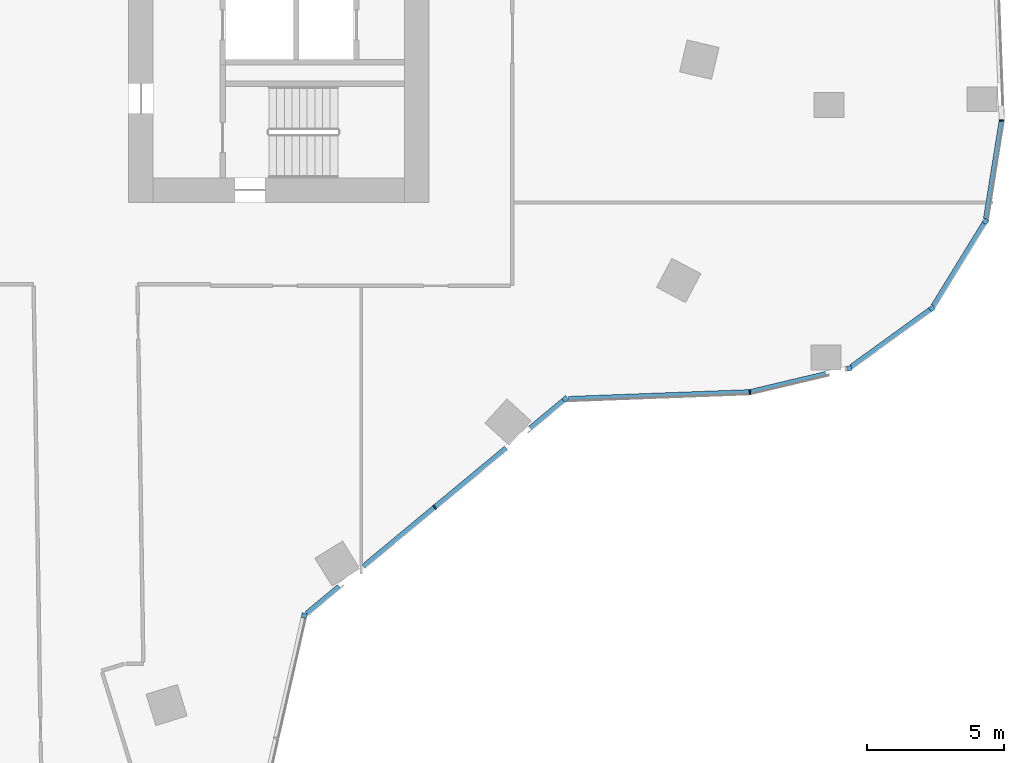
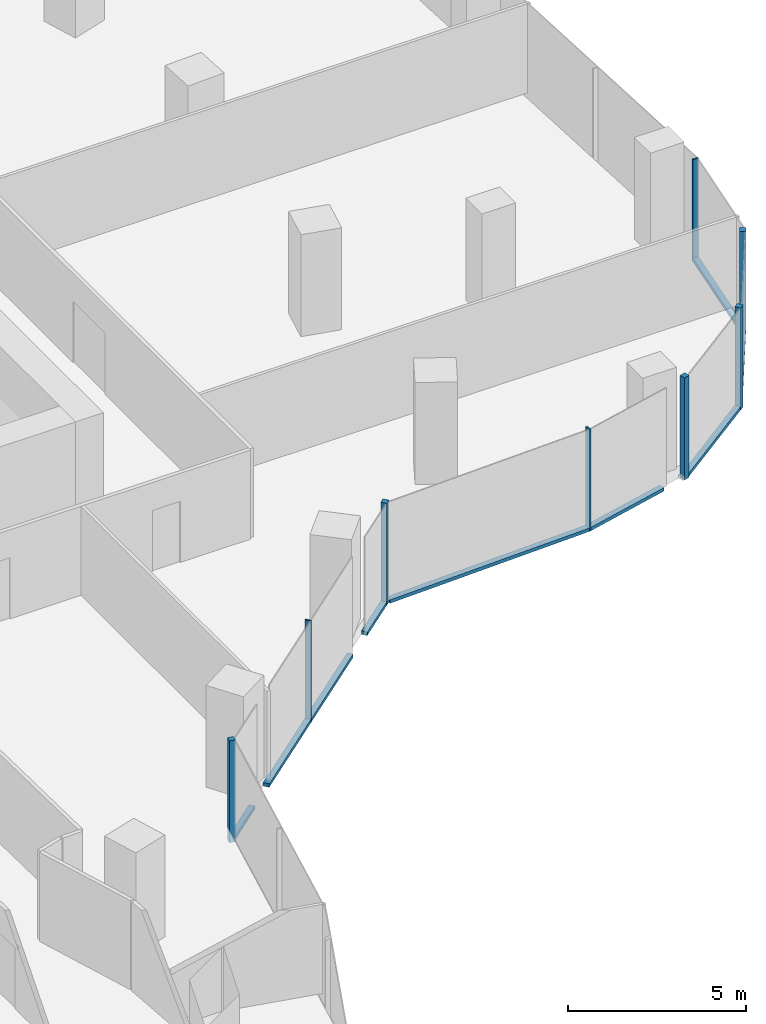
# One storey, part 8 of 24: 16 members, 7 elements without a shape of their own.
"""IFC4 building model written with IfcOpenShell, lengths in metres."""

from ifc_helpers import new_model, si_unit, direction, frame, origin, origin_2d, place, context, subcontext, project, spatial, rectangle, extrude, material, material_profile, profile_set, type_object, element, aggregate, save


model = new_model("IFC4")

# Units and contexts
model_context = context("Model", 3, precision=1e-05, world=origin(), true_north=direction((0.0, 1.0)))
body_context = subcontext(model_context, "Body", "Model", "MODEL_VIEW")
ifc_project = project(units=[si_unit("LENGTHUNIT", "METRE"), si_unit("AREAUNIT", "SQUARE_METRE"), si_unit("VOLUMEUNIT", "CUBIC_METRE"), si_unit("PLANEANGLEUNIT", "RADIAN"), si_unit("MASSUNIT", "GRAM", prefix="KILO")], contexts=[model_context])

# Site, building, storey
site_placement = place(None, origin())
site = spatial("IfcSite", under=ifc_project, at=site_placement, CompositionType="ELEMENT")
building_placement = place(site_placement, origin())
building = spatial("IfcBuilding", under=site, at=building_placement, Name="Orlundy Tower", CompositionType="ELEMENT")
storey_placement = place(building_placement, frame((0.0, 0.0, 174.10009765625)))
storey = spatial("IfcBuildingStorey", under=building, at=storey_placement, Name="L45", CompositionType="ELEMENT", Elevation=174.10009765625)

# Curtain wall, member
ifc_material_1 = material(Name="Aluminium bronze anodised", Category="aluminium")
curtain_wall_type = type_object("IfcCurtainWallType", Name="CW1 wall", PredefinedType="NOTDEFINED", material=ifc_material_1)
curtain_wall_1_placement = place(storey_placement, origin())
curtain_wall_1 = element("IfcCurtainWall", 1, at=curtain_wall_1_placement, inside=storey, type_object=curtain_wall_type, Name="CW1 run 013", PredefinedType="NOTDEFINED")
ifc_material_2 = material(Name="Aluminium bronze anodised", Category="aluminium")
ifc_material_profile_1 = material_profile(ifc_material_2, rectangle(XDim=0.179931640625, YDim=0.179931640625, at=origin_2d()), Name="CW1 corner post 180x180")
ifc_profile_set_1 = profile_set([ifc_material_profile_1], Name="Aluminium bronze anodised")
member_type_1 = type_object("IfcMemberType", Name="CW1 corner post 180x180", PredefinedType="MULLION", material=ifc_profile_set_1)
member_1_placement = place(storey_placement, frame((39.3701171875, -12.69091796875, -0.420166015625), z_axis=(0.0, 0.0, 1.0), x_axis=(0.851824977163, -0.523826505898, 0.0)))
member_1 = element("IfcMember", 2, at=member_1_placement, type_object=member_type_1, Name="CW1 mullion 37", PredefinedType="MULLION", context=body_context, shape_type="SweptSolid", body=[
    extrude(rectangle(XDim=0.179931640625, YDim=0.179931640625, at=origin_2d()), origin(), (0.0, 0.0, 1.0), 3.5),
])

curtain_wall_2_placement = place(storey_placement, origin())
curtain_wall_2 = element("IfcCurtainWall", 3, at=curtain_wall_2_placement, inside=storey, type_object=curtain_wall_type, Name="CW1 run 014", PredefinedType="NOTDEFINED")
member_2_placement = place(storey_placement, frame((37.4091796875, -15.87939453125, -0.420166015625), z_axis=(0.0, 0.0, 1.0), x_axis=(0.586534223909, -0.809924443503, 0.0)))
member_2 = element("IfcMember", 4, at=member_2_placement, type_object=member_type_1, Name="CW1 mullion 38", PredefinedType="MULLION", context=body_context, shape_type="SweptSolid", body=[
    extrude(rectangle(XDim=0.179931640625, YDim=0.179931640625, at=origin_2d()), origin(), (0.0, 0.0, 1.0), 3.5),
])

curtain_wall_3_placement = place(storey_placement, origin())
curtain_wall_3 = element("IfcCurtainWall", 5, at=curtain_wall_3_placement, inside=storey, type_object=curtain_wall_type, Name="CW1 run 015", PredefinedType="NOTDEFINED")
member_3_placement = place(storey_placement, frame((34.37841796875, -18.074462890625, -0.420166015625), z_axis=(0.0, 0.0, 1.0), x_axis=(0.232301349645, -0.972643862343, 0.0)))
member_3 = element("IfcMember", 6, at=member_3_placement, type_object=member_type_1, Name="CW1 mullion 39", PredefinedType="MULLION", context=body_context, shape_type="SweptSolid", body=[
    extrude(rectangle(XDim=0.179931640625, YDim=0.179931640625, at=origin_2d()), origin(), (0.0, 0.0, 1.0), 3.5),
])

curtain_wall_4_placement = place(storey_placement, origin())
curtain_wall_4 = element("IfcCurtainWall", 7, at=curtain_wall_4_placement, inside=storey, type_object=curtain_wall_type, Name="CW1 run 017", PredefinedType="NOTDEFINED")
member_4_placement = place(storey_placement, frame((23.989013671875, -19.19677734375, -0.420166015625), z_axis=(0.0, 0.0, 1.0), x_axis=(0.638331239674, -0.769761799816, 0.0)))
member_4 = element("IfcMember", 8, at=member_4_placement, type_object=member_type_1, Name="CW1 mullion 41", PredefinedType="MULLION", context=body_context, shape_type="SweptSolid", body=[
    extrude(rectangle(XDim=0.179931640625, YDim=0.179931640625, at=origin_2d()), origin(), (0.0, 0.0, 1.0), 3.5),
])

curtain_wall_5_placement = place(storey_placement, origin())
curtain_wall_5 = element("IfcCurtainWall", 9, at=curtain_wall_5_placement, inside=storey, type_object=curtain_wall_type, Name="CW1 run 018", PredefinedType="NOTDEFINED")
member_5_placement = place(storey_placement, frame((14.425048828125, -27.127685546875, -0.420166015625), z_axis=(0.0, 0.0, 1.0), x_axis=(0.975022425628, -0.222106437373, 0.0)))
member_5 = element("IfcMember", 10, at=member_5_placement, type_object=member_type_1, Name="CW1 mullion 43", PredefinedType="MULLION", context=body_context, shape_type="SweptSolid", body=[
    extrude(rectangle(XDim=0.179931640625, YDim=0.179931640625, at=origin_2d()), origin(), (0.0, 0.0, 1.0), 3.5),
])
aggregate(curtain_wall_5, [member_5])

curtain_wall_6_placement = place(storey_placement, origin())
curtain_wall_6 = element("IfcCurtainWall", 11, at=curtain_wall_6_placement, inside=storey, type_object=curtain_wall_type, Name="CW1 run 012", PredefinedType="NOTDEFINED")
ifc_material_3 = material(Name="Aluminium bronze anodised", Category="aluminium")
ifc_material_profile_2 = material_profile(ifc_material_3, rectangle(XDim=0.179931640625, YDim=0.050048828125, at=origin_2d()), Name="CW1 mullion 50x180")
ifc_profile_set_2 = profile_set([ifc_material_profile_2], Name="Aluminium bronze anodised")
member_type_2 = type_object("IfcMemberType", Name="CW1 mullion 50x180", PredefinedType="MULLION", material=ifc_profile_set_2)
member_6_placement = place(storey_placement, frame((39.959228515625, -9.00439453125, -0.420166015625), z_axis=(0.0, 0.0, 1.0), x_axis=(0.998180187769, -0.060301846949, 0.0)))
member_6 = element("IfcMember", 12, at=member_6_placement, type_object=member_type_2, Name="CW1 mullion 36", PredefinedType="MULLION", context=body_context, shape_type="SweptSolid", body=[
    extrude(rectangle(XDim=0.179931640625, YDim=0.050048828125, at=origin_2d()), origin(), (0.0, 0.0, 1.0), 3.5),
])

curtain_wall_7_placement = place(storey_placement, origin())
curtain_wall_7 = element("IfcCurtainWall", 13, at=curtain_wall_7_placement, inside=storey, type_object=curtain_wall_type, Name="CW1 run 016", PredefinedType="NOTDEFINED")
member_7_placement = place(storey_placement, frame((30.747314453125, -18.941650390625, -0.420166015625), z_axis=(0.0, 0.0, 1.0), x_axis=(0.135671936692, -0.990753816846, 0.0)))
member_7 = element("IfcMember", 14, at=member_7_placement, type_object=member_type_2, Name="CW1 mullion 40", PredefinedType="MULLION", context=body_context, shape_type="SweptSolid", body=[
    extrude(rectangle(XDim=0.179931640625, YDim=0.050048828125, at=origin_2d()), origin(), (0.0, 0.0, 1.0), 3.5),
])

# Member
member_8_placement = place(storey_placement, frame((19.20703125, -23.162353515625, -0.420166015625), z_axis=(0.0, 0.0, 1.0), x_axis=(0.638331239674, -0.769761799816, 0.0)))
member_8 = element("IfcMember", 15, at=member_8_placement, type_object=member_type_2, Name="CW1 mullion 42", PredefinedType="MULLION", context=body_context, shape_type="SweptSolid", body=[
    extrude(rectangle(XDim=0.179931640625, YDim=0.050048828125, at=origin_2d()), origin(), (0.0, 0.0, 1.0), 3.5),
])

ifc_material_4 = material(Name="Aluminium bronze anodised", Category="aluminium")
ifc_material_profile_3 = material_profile(ifc_material_4, rectangle(XDim=0.179931640625, YDim=0.1201171875, at=origin_2d()), Name="CW1 transom 180x120")
ifc_profile_set_3 = profile_set([ifc_material_profile_3], Name="Aluminium bronze anodised")
member_type_3 = type_object("IfcMemberType", Name="CW1 transom 180x120", PredefinedType="USERDEFINED", material=ifc_profile_set_3)
member_9_placement = place(storey_placement, frame((39.955322265625, -9.029296875, -0.360107421875), z_axis=(-0.157816447331, -0.987468464789, 0.0), x_axis=(0.987468464789, -0.157816447331, 0.0)))
member_9 = element("IfcMember", 16, at=member_9_placement, type_object=member_type_3, Name="CW1 transom", ObjectType="TRANSOM", PredefinedType="USERDEFINED", context=body_context, shape_type="SweptSolid", body=[
    extrude(rectangle(XDim=0.179931640625, YDim=0.1201171875, at=origin_2d()), origin(), (0.0, 0.0, 1.0), 3.610595703125),
])

aggregate(curtain_wall_6, [member_6, member_9])

member_10_placement = place(storey_placement, frame((39.322998046875, -12.767578125, -0.360107421875), z_axis=(-0.523875220778, -0.851795018214, 0.0), x_axis=(0.851795018214, -0.523875220778, 0.0)))
member_10 = element("IfcMember", 17, at=member_10_placement, type_object=member_type_3, Name="CW1 transom", ObjectType="TRANSOM", PredefinedType="USERDEFINED", context=body_context, shape_type="SweptSolid", body=[
    extrude(rectangle(XDim=0.179931640625, YDim=0.1201171875, at=origin_2d()), origin(), (0.0, 0.0, 1.0), 3.555908203125),
])

aggregate(curtain_wall_1, [member_1, member_10])

member_11_placement = place(storey_placement, frame((37.33642578125, -15.93212890625, -0.360107421875), z_axis=(-0.809901620851, -0.586565737614, 0.0), x_axis=(0.586565737614, -0.809901620851, 0.0)))
member_11 = element("IfcMember", 18, at=member_11_placement, type_object=member_type_3, Name="CW1 transom", ObjectType="TRANSOM", PredefinedType="USERDEFINED", context=body_context, shape_type="SweptSolid", body=[
    extrude(rectangle(XDim=0.179931640625, YDim=0.1201171875, at=origin_2d()), origin(), (0.0, 0.0, 1.0), 3.554931640625),
])

aggregate(curtain_wall_2, [member_2, member_11])

member_12_placement = place(storey_placement, frame((33.521484375, -18.279052734375, -0.360107421875), z_axis=(-0.972643824455, -0.232301508282, 0.0), x_axis=(0.232301508282, -0.972643824455, 0.0)))
member_12 = element("IfcMember", 19, at=member_12_placement, type_object=member_type_3, Name="CW1 transom", ObjectType="TRANSOM", PredefinedType="USERDEFINED", context=body_context, shape_type="SweptSolid", body=[
    extrude(rectangle(XDim=0.179931640625, YDim=0.1201171875, at=origin_2d()), origin(), (0.0, 0.0, 1.0), 2.8271484375),
])

aggregate(curtain_wall_3, [member_3, member_12])

member_13_placement = place(storey_placement, frame((30.72216796875, -18.942626953125, -0.360107421875), z_axis=(-0.999289050554, -0.037701371887, 0.0), x_axis=(0.037701371887, -0.999289050554, 0.0)))
member_13 = element("IfcMember", 20, at=member_13_placement, type_object=member_type_3, Name="CW1 transom", ObjectType="TRANSOM", PredefinedType="USERDEFINED", context=body_context, shape_type="SweptSolid", body=[
    extrude(rectangle(XDim=0.179931640625, YDim=0.1201171875, at=origin_2d()), origin(), (0.0, 0.0, 1.0), 6.62451171875),
])

aggregate(curtain_wall_7, [member_7, member_13])

member_14_placement = place(storey_placement, frame((23.919677734375, -19.254150390625, -0.360107421875), z_axis=(-0.769728291859, -0.638371644665, 0.0), x_axis=(0.638371644665, -0.769728291859, 0.0)))
member_14 = element("IfcMember", 21, at=member_14_placement, type_object=member_type_3, Name="CW1 transom", ObjectType="TRANSOM", PredefinedType="USERDEFINED", context=body_context, shape_type="SweptSolid", body=[
    extrude(rectangle(XDim=0.179931640625, YDim=0.1201171875, at=origin_2d()), origin(), (0.0, 0.0, 1.0), 1.577880859375),
])

member_15_placement = place(storey_placement, frame((21.822021484375, -20.99365234375, -0.360107421875), z_axis=(-0.769750639543, -0.638344697576, 0.0), x_axis=(0.638344697576, -0.769750639543, 0.0)))
member_15 = element("IfcMember", 22, at=member_15_placement, type_object=member_type_3, Name="CW1 transom", ObjectType="TRANSOM", PredefinedType="USERDEFINED", context=body_context, shape_type="SweptSolid", body=[
    extrude(rectangle(XDim=0.179931640625, YDim=0.1201171875, at=origin_2d()), origin(), (0.0, 0.0, 1.0), 6.79443359375),
])

member_16_placement = place(storey_placement, frame((15.708984375, -26.06298828125, -0.360107421875), z_axis=(-0.769763606156, -0.638329061408, 0.0), x_axis=(0.638329061408, -0.769763606156, 0.0)))
member_16 = element("IfcMember", 23, at=member_16_placement, type_object=member_type_3, Name="CW1 transom", ObjectType="TRANSOM", PredefinedType="USERDEFINED", context=body_context, shape_type="SweptSolid", body=[
    extrude(rectangle(XDim=0.179931640625, YDim=0.1201171875, at=origin_2d()), origin(), (0.0, 0.0, 1.0), 1.5546875),
])

aggregate(curtain_wall_4, [member_4, member_8, member_14, member_15, member_16])

save(model, "model.ifc")
